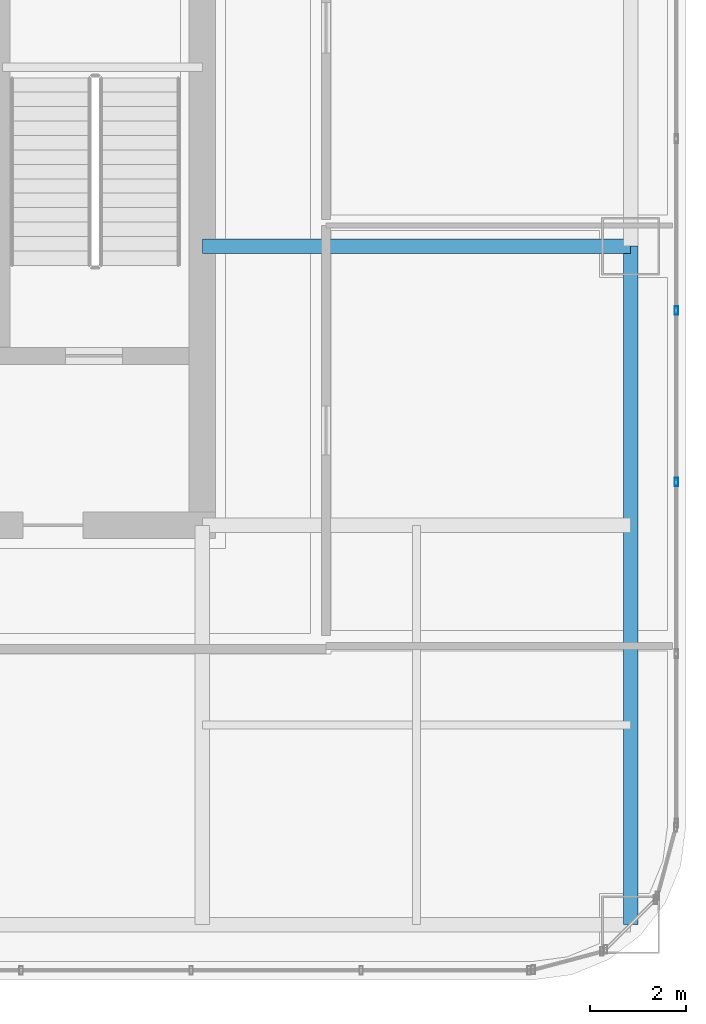
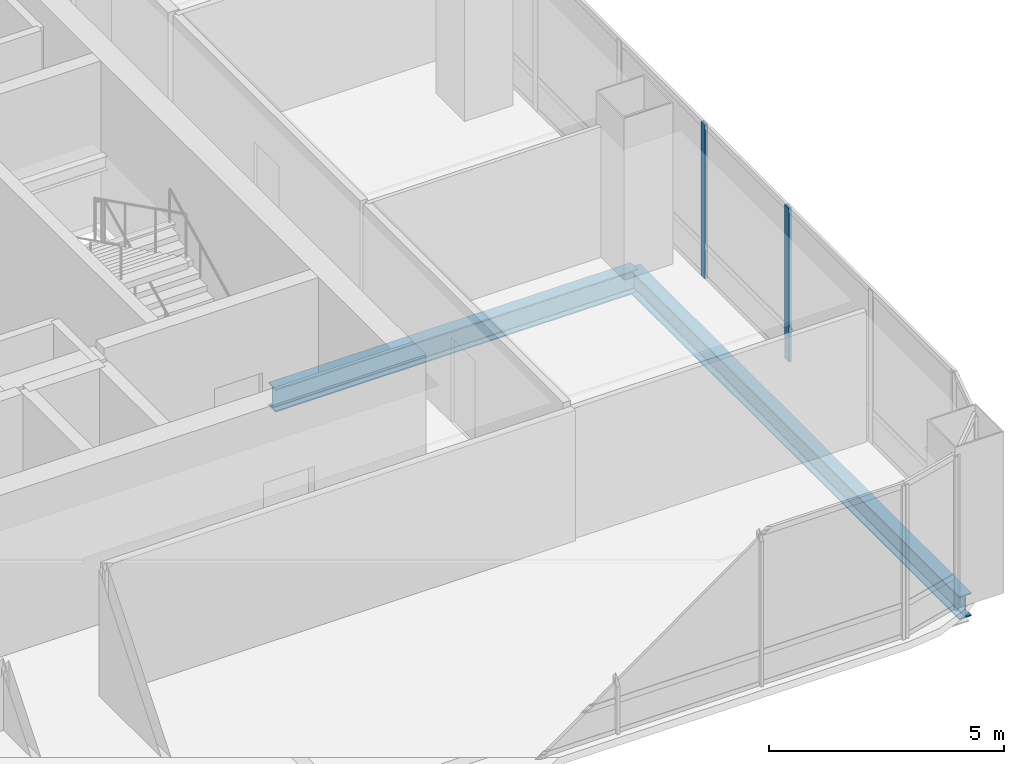
# One storey, part 17 of 41: 2 beams, 2 members, 1 element without a shape of its own.
"""IFC4 building model written with IfcOpenShell, lengths in metres."""

from ifc_helpers import new_model, si_unit, direction, frame, origin, origin_2d, place, context, subcontext, project, spatial, hollow_rectangle, i_section, extrude, material, material_profile, profile_set, type_object, element, aggregate, save


model = new_model("IFC4")

# Units and contexts
model_context = context("Model", 3, precision=1e-05, world=origin(), true_north=direction((0.0, 1.0)))
body_context = subcontext(model_context, "Body", "Model", "MODEL_VIEW")
ifc_project = project(units=[si_unit("LENGTHUNIT", "METRE"), si_unit("AREAUNIT", "SQUARE_METRE"), si_unit("VOLUMEUNIT", "CUBIC_METRE"), si_unit("PLANEANGLEUNIT", "RADIAN"), si_unit("MASSUNIT", "GRAM", prefix="KILO")], contexts=[model_context])

# Site, building, storey
site_placement = place(None, origin())
site = spatial("IfcSite", under=ifc_project, at=site_placement, CompositionType="ELEMENT")
building_placement = place(site_placement, origin())
building = spatial("IfcBuilding", under=site, at=building_placement, Name="Punatoya Terracotta Tower", CompositionType="ELEMENT")
storey_placement = place(building_placement, frame((0.0, 0.0, 292.199951171875)))
storey = spatial("IfcBuildingStorey", under=building, at=storey_placement, Name="L69", CompositionType="ELEMENT", Elevation=292.199951171875)

# Beams
ifc_material_1 = material(Name="Steel S355", Category="steel")
ifc_material_profile_1 = material_profile(ifc_material_1, i_section(OverallWidth=0.300048828125, OverallDepth=0.60009765625, WebThickness=0.015380859375, FlangeThickness=0.030029296875, FilletRadius=0.01806640625, at=origin_2d()))
ifc_profile_set_1 = profile_set([ifc_material_profile_1], Name="Steel S355")
beam_type = type_object("IfcBeamType", Name="BM-PRI-600", PredefinedType="BEAM", material=ifc_profile_set_1)
beam_1_placement = place(storey_placement, frame((19.10009765625, -17.5, -0.5), z_axis=(0.0, 1.0, 0.0), x_axis=(-1.0, 0.0, 0.0)))
element("IfcBeam", 1, at=beam_1_placement, inside=storey, type_object=beam_type, Name="BM-L69-RG-E1", PredefinedType="BEAM", context=body_context, shape_type="SweptSolid", body=[
    extrude(i_section(OverallWidth=0.300048828125, OverallDepth=0.60009765625, WebThickness=0.015380859375, FlangeThickness=0.030029296875, FilletRadius=0.01806640625, at=origin_2d()), origin(), (0.0, 0.0, 1.0), 14.10009765625),
])
beam_2_placement = place(storey_placement, frame((10.199951171875, -3.39990234375, -0.5), z_axis=(1.0, 0.0, 0.0), x_axis=(0.0, 1.0, 0.0)))
element("IfcBeam", 2, at=beam_2_placement, inside=storey, type_object=beam_type, Name="BM-L69-PR-ED", PredefinedType="BEAM", context=body_context, shape_type="SweptSolid", body=[
    extrude(i_section(OverallWidth=0.300048828125, OverallDepth=0.60009765625, WebThickness=0.015380859375, FlangeThickness=0.030029296875, FilletRadius=0.01806640625, at=origin_2d()), origin(), (0.0, 0.0, 1.0), 8.900146484375),
])

# Curtain wall, members
ifc_material_2 = material(Name="Aluminium 6063-T6 + Double Low-E Glass", Category="aluminium")
curtain_wall_type = type_object("IfcCurtainWallType", Name="CW-M3", PredefinedType="NOTDEFINED", material=ifc_material_2)
curtain_wall_placement = place(storey_placement, origin())
curtain_wall = element("IfcCurtainWall", 3, at=curtain_wall_placement, inside=storey, type_object=curtain_wall_type, Name="L69 Curtain Wall CW-L69-E05-1", PredefinedType="NOTDEFINED")
ifc_material_3 = material(Name="Aluminium 6063-T6", Category="aluminium")
ifc_material_profile_2 = material_profile(ifc_material_3, hollow_rectangle(XDim=0.070068359375, YDim=0.179931640625, WallThickness=0.00390625, at=origin_2d()))
ifc_profile_set_2 = profile_set([ifc_material_profile_2], Name="Aluminium 6063-T6")
member_type = type_object("IfcMemberType", Name="CW-MUL-M3", PredefinedType="MULLION", material=ifc_profile_set_2)
member_1_placement = place(storey_placement, frame((20.050048828125, -8.302001953125, 0.0), z_axis=(0.0, 0.0, 1.0), x_axis=(1.0, 0.0, 0.0)))
member_1 = element("IfcMember", 4, at=member_1_placement, type_object=member_type, Name="CW-L69-E05-1 Mullion 02", PredefinedType="MULLION", context=body_context, shape_type="SweptSolid", body=[
    extrude(hollow_rectangle(XDim=0.070068359375, YDim=0.179931640625, WallThickness=0.00390625, at=origin_2d()), origin(), (0.0, 0.0, 1.0), 4.0),
])
member_2_placement = place(storey_placement, frame((20.050048828125, -4.73486328125, 0.0), z_axis=(0.0, 0.0, 1.0), x_axis=(1.0, 0.0, 0.0)))
member_2 = element("IfcMember", 5, at=member_2_placement, type_object=member_type, Name="CW-L69-E05-1 Mullion 03", PredefinedType="MULLION", context=body_context, shape_type="SweptSolid", body=[
    extrude(hollow_rectangle(XDim=0.070068359375, YDim=0.179931640625, WallThickness=0.00390625, at=origin_2d()), origin(), (0.0, 0.0, 1.0), 4.0),
])
aggregate(curtain_wall, [member_1, member_2])

save(model, "model.ifc")
